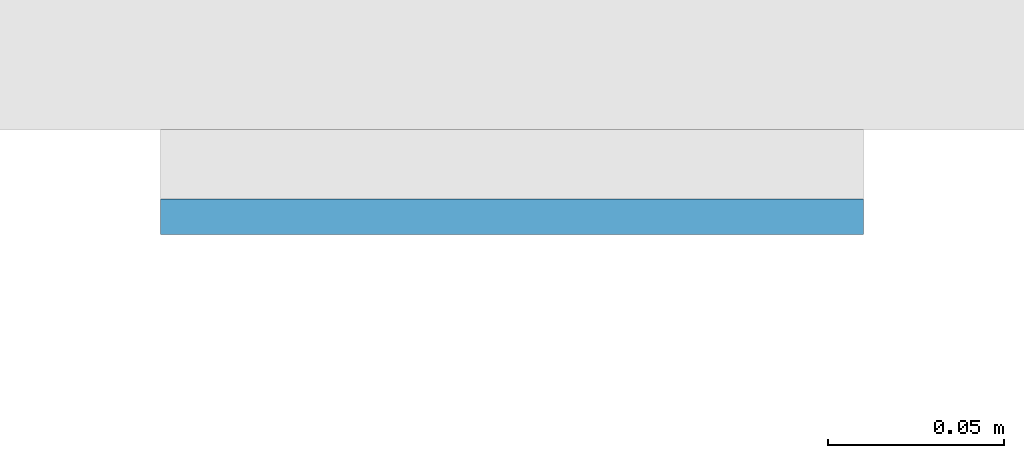
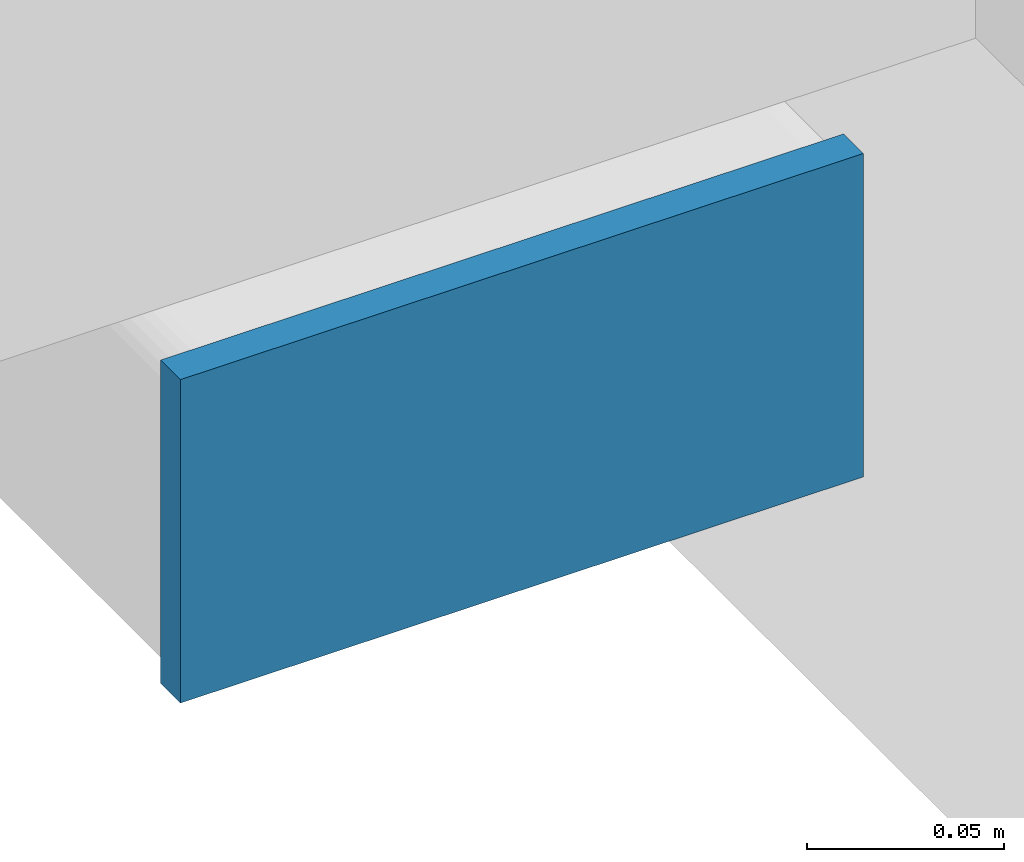
# One storey, part 8 of 20: 1 plate.
"""IFC4 building model written with IfcOpenShell, lengths in metres."""

from ifc_helpers import new_model, si_unit, direction, frame, origin, origin_2d, place, context, subcontext, project, spatial, rectangle, extrude, material, layer, layer_set, type_object, element, save


model = new_model("IFC4")

# Units and contexts
model_context = context("Model", 3, precision=1e-05, world=origin(), true_north=direction((0.0, 1.0)))
body_context = subcontext(model_context, "Body", "Model", "MODEL_VIEW")
ifc_project = project(units=[si_unit("LENGTHUNIT", "METRE"), si_unit("AREAUNIT", "SQUARE_METRE"), si_unit("VOLUMEUNIT", "CUBIC_METRE"), si_unit("PLANEANGLEUNIT", "RADIAN"), si_unit("MASSUNIT", "GRAM", prefix="KILO")], contexts=[model_context])

# Site, building, storey
site_placement = place(None, origin())
site = spatial("IfcSite", under=ifc_project, at=site_placement, CompositionType="ELEMENT")
building_placement = place(site_placement, origin())
building = spatial("IfcBuilding", under=site, at=building_placement, Name="Cleftline Residences", CompositionType="ELEMENT")
storey_placement = place(building_placement, frame((0.0, 0.0, 182.199951171875)))
storey = spatial("IfcBuildingStorey", under=building, at=storey_placement, Name="L47", CompositionType="ELEMENT", Elevation=182.199951171875)

# Plate
ifc_material = material(Name="Steel S355, hot-dip galvanised", Category="steel")
ifc_layer = layer(ifc_material, 0.010009765625)
ifc_layer_set = layer_set([ifc_layer], Name="BAGUETTE CARRIER END PLATE 200X100X10")
plate_type = type_object("IfcPlateType", Name="BAGUETTE CARRIER END PLATE 200X100X10", PredefinedType="USERDEFINED", material=ifc_layer_set)
plate_placement = place(storey_placement, frame((-0.85009765625, 3.695068359375, -0.10009765625), z_axis=(0.0, 0.0, 1.0), x_axis=(-1.0, 0.0, 0.0)))
element("IfcPlate", 1, at=plate_placement, inside=storey, type_object=plate_type, Name="Baguette carrier end plate", ObjectType="BAGUETTE CARRIER END PLATE", PredefinedType="USERDEFINED", context=body_context, shape_type="SweptSolid", body=[
    extrude(rectangle(XDim=0.199951171875, YDim=0.010009765625, at=origin_2d()), origin(), (0.0, 0.0, 1.0), 0.10009765625),
])

save(model, "model.ifc")
